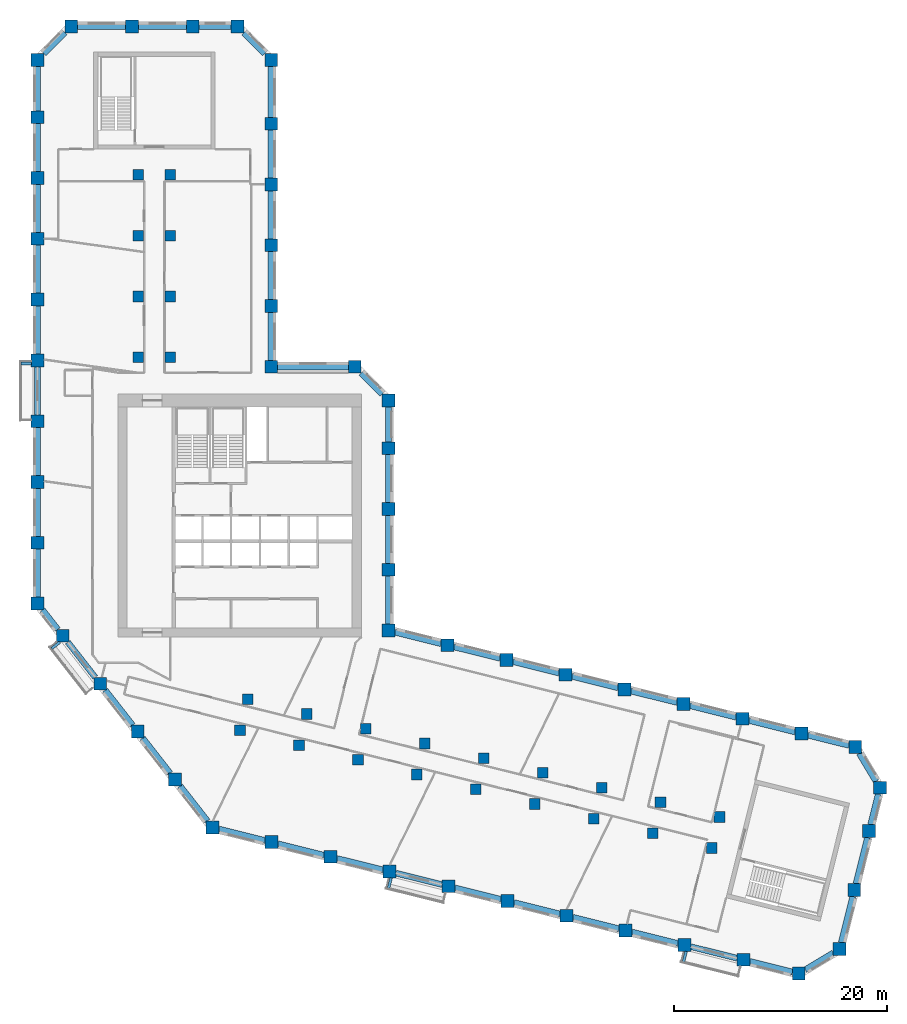
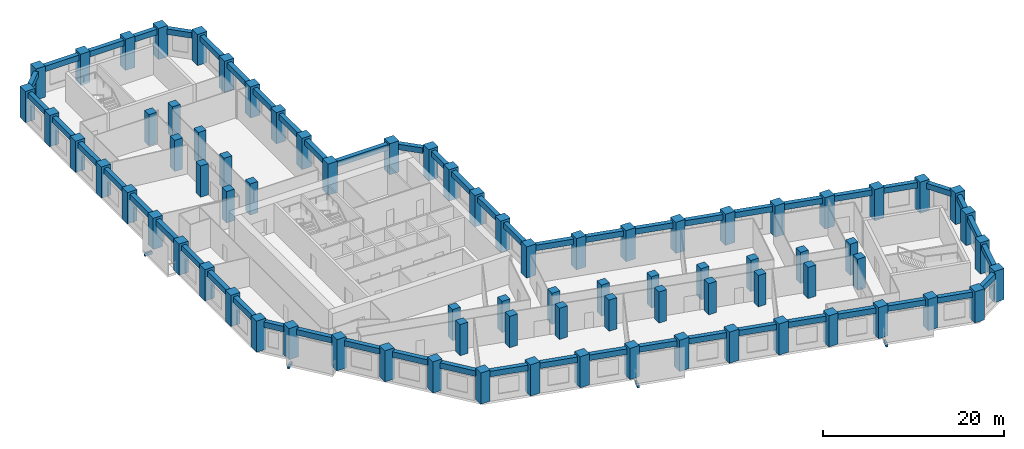
# One storey, part 1 of 10: 79 columns, 57 beams.
"""IFC4 building model written with IfcOpenShell, lengths in metres."""

from ifc_helpers import new_model, si_unit, direction, frame, origin, origin_2d, place, context, subcontext, project, spatial, rectangle, extrude, material, material_profile, profile_set, type_object, element, save


model = new_model("IFC4")

# Units and contexts
model_context = context("Model", 3, precision=1e-05, world=origin(), true_north=direction((0.0, 1.0)))
body_context = subcontext(model_context, "Body", "Model", "MODEL_VIEW")
ifc_project = project(units=[si_unit("LENGTHUNIT", "METRE"), si_unit("AREAUNIT", "SQUARE_METRE"), si_unit("VOLUMEUNIT", "CUBIC_METRE"), si_unit("PLANEANGLEUNIT", "RADIAN"), si_unit("MASSUNIT", "GRAM", prefix="KILO")], contexts=[model_context])

# Site, building, storey
site_placement = place(None, origin())
site = spatial("IfcSite", under=ifc_project, at=site_placement, CompositionType="ELEMENT")
building_placement = place(site_placement, origin())
building = spatial("IfcBuilding", under=site, at=building_placement, Name="Meshkara Civic Tower", CompositionType="ELEMENT")
storey_placement = place(building_placement, frame((0.0, 0.0, 186.60009765625)))
storey = spatial("IfcBuildingStorey", under=building, at=storey_placement, Name="L42", CompositionType="ELEMENT", Elevation=186.60009765625)

# Columns
ifc_material_1 = material(Name="Concrete C70", Category="concrete")
ifc_material_profile_1 = material_profile(ifc_material_1, rectangle(XDim=1.0, YDim=1.0, at=origin_2d()))
ifc_profile_set_1 = profile_set([ifc_material_profile_1], Name="Concrete C70")
column_type_1 = type_object("IfcColumnType", Name="Interior column RC 1000x1000 C70", PredefinedType="COLUMN", material=ifc_profile_set_1)
for number, where, z_axis, x_axis, name in (
    (1, (9.89990234375, 40.35009765625, 0.0), (0.0, 0.0, 1.0), (1.0, 0.0, 0.0), "Column SA1-04 L42"),
    (2, (9.89990234375, 46.050048828125, 0.0), (0.0, 0.0, 1.0), (1.0, 0.0, 0.0), "Column SA1-05 L42"),
    (3, (9.89990234375, 51.75, 0.0), (0.0, 0.0, 1.0), (1.0, 0.0, 0.0), "Column SA1-06 L42"),
    (4, (9.89990234375, 57.449951171875, 0.0), (0.0, 0.0, 1.0), (1.0, 0.0, 0.0), "Column SA1-07 L42"),
    (5, (12.89990234375, 40.35009765625, 0.0), (0.0, 0.0, 1.0), (1.0, 0.0, 0.0), "Column SA2-04 L42"),
    (6, (12.89990234375, 46.050048828125, 0.0), (0.0, 0.0, 1.0), (1.0, 0.0, 0.0), "Column SA2-05 L42"),
    (7, (12.89990234375, 51.75, 0.0), (0.0, 0.0, 1.0), (1.0, 0.0, 0.0), "Column SA2-06 L42"),
    (8, (12.89990234375, 57.449951171875, 0.0), (0.0, 0.0, 1.0), (1.0, 0.0, 0.0), "Column SA2-07 L42"),
    (9, (19.424072265625, 5.360107421875, 0.0), (0.0, 0.0, 1.0), (1.0, 0.0, 0.0), "Column SB1-00 L42"),
    (10, (24.9541015625, 3.98095703125, 0.0), (0.0, 0.0, 1.0), (1.0, 0.0, 0.0), "Column SB1-01 L42"),
    (11, (30.485107421875, 2.60205078125, 0.0), (0.0, 0.0, 1.0), (1.0, 0.0, 0.0), "Column SB1-02 L42"),
    (12, (36.01611328125, 1.222900390625, 0.0), (0.0, 0.0, 1.0), (1.0, 0.0, 0.0), "Column SB1-03 L42"),
    (13, (41.5458984375, -0.156005859375, 0.0), (0.0, 0.0, 1.0), (1.0, 0.0, 0.0), "Column SB1-04 L42"),
    (14, (47.076904296875, -1.534912109375, 0.0), (0.0, 0.0, 1.0), (1.0, 0.0, 0.0), "Column SB1-05 L42"),
    (15, (52.60791015625, -2.9140625, 0.0), (0.0, 0.0, 1.0), (1.0, 0.0, 0.0), "Column SB1-06 L42"),
    (16, (58.138916015625, -4.2919921875, 0.0), (0.0, 0.0, 1.0), (1.0, 0.0, 0.0), "Column SB1-07 L42"),
    (17, (63.6689453125, -5.6708984375, 0.0), (0.0, 0.0, 1.0), (1.0, 0.0, 0.0), "Column SB1-08 L42"),
    (18, (20.14892578125, 8.27099609375, 0.0), (0.0, 0.0, 1.0), (1.0, 0.0, 0.0), "Column SB2-00 L42"),
    (19, (25.679931640625, 6.89208984375, 0.0), (0.0, 0.0, 1.0), (1.0, 0.0, 0.0), "Column SB2-01 L42"),
    (20, (31.2109375, 5.512939453125, 0.0), (0.0, 0.0, 1.0), (1.0, 0.0, 0.0), "Column SB2-02 L42"),
    (21, (36.741943359375, 4.134033203125, 0.0), (0.0, 0.0, 1.0), (1.0, 0.0, 0.0), "Column SB2-03 L42"),
    (22, (42.27197265625, 2.7548828125, 0.0), (0.0, 0.0, 1.0), (1.0, 0.0, 0.0), "Column SB2-04 L42"),
    (23, (47.802978515625, 1.3759765625, 0.0), (0.0, 0.0, 1.0), (1.0, 0.0, 0.0), "Column SB2-05 L42"),
    (24, (53.333984375, -0.0029296875, 0.0), (0.0, 0.0, 1.0), (1.0, 0.0, 0.0), "Column SB2-06 L42"),
    (25, (58.864013671875, -1.382080078125, 0.0), (0.0, 0.0, 1.0), (1.0, 0.0, 0.0), "Column SB2-07 L42"),
    (26, (64.39501953125, -2.760986328125, 0.0), (0.0, 0.0, 1.0), (1.0, 0.0, 0.0), "Column SB2-08 L42"),
):
    element("IfcColumn", number, at=place(storey_placement, frame(where, z_axis=z_axis, x_axis=x_axis)), inside=storey, type_object=column_type_1, Name=name, PredefinedType="COLUMN", context=body_context, shape_type="SweptSolid", body=[
        extrude(rectangle(XDim=1.0, YDim=1.0, at=origin_2d()), origin(), (0.0, 0.0, 1.0), 4.199951171875),
    ])
ifc_material_2 = material(Name="Concrete C70", Category="concrete")
ifc_material_profile_2 = material_profile(ifc_material_2, rectangle(XDim=1.199951171875, YDim=1.199951171875, at=origin_2d()))
ifc_profile_set_2 = profile_set([ifc_material_profile_2], Name="Concrete C70")
column_type_2 = type_object("IfcColumnType", Name="Perimeter column RC 1200x1200 C70", PredefinedType="COLUMN", material=ifc_profile_set_2)
for number, where, z_axis, x_axis, name in (
    (27, (33.35009765625, 14.718994140625, 0.0), (0.0, 0.0, 1.0), (1.0, 0.0, 0.0), "Column HE00 L42"),
    (28, (33.35009765625, 20.4189453125, 0.0), (0.0, 0.0, 1.0), (1.0, 0.0, 0.0), "Column HE01 L42"),
    (29, (33.35009765625, 26.118896484375, 0.0), (0.0, 0.0, 1.0), (1.0, 0.0, 0.0), "Column HE02 L42"),
    (30, (33.35009765625, 31.819091796875, 0.0), (0.0, 0.0, 1.0), (1.0, 0.0, 0.0), "Column HE03 L42"),
    (31, (33.35009765625, 36.2939453125, 0.0), (0.0, 0.0, 1.0), (1.0, 0.0, 0.0), "Column HEE L42"),
    (32, (30.194091796875, 39.449951171875, 0.0), (0.0, 0.0, 1.0), (1.0, 0.0, 0.0), "Column HCeE L42"),
    (33, (22.35009765625, 39.449951171875, 0.0), (0.0, 0.0, 1.0), (1.0, 0.0, 0.0), "Column HN00 L42"),
    (34, (22.35009765625, 45.14990234375, 0.0), (0.0, 0.0, 1.0), (1.0, 0.0, 0.0), "Column AE01 L42"),
    (35, (22.35009765625, 50.85009765625, 0.0), (0.0, 0.0, 1.0), (1.0, 0.0, 0.0), "Column AE02 L42"),
    (36, (22.35009765625, 56.550048828125, 0.0), (0.0, 0.0, 1.0), (1.0, 0.0, 0.0), "Column AE03 L42"),
    (37, (22.35009765625, 62.25, 0.0), (0.0, 0.0, 1.0), (1.0, 0.0, 0.0), "Column AE04 L42"),
    (38, (22.35009765625, 68.214111328125, 0.0), (0.0, 0.0, 1.0), (1.0, 0.0, 0.0), "Column AEEP2 L42"),
    (39, (19.194091796875, 71.3701171875, 0.0), (0.0, 0.0, 1.0), (1.0, 0.0, 0.0), "Column ATiEP2 L42"),
    (40, (3.60595703125, 71.3701171875, 0.0), (0.0, 0.0, 1.0), (1.0, 0.0, 0.0), "Column AT00-P2 L42"),
    (41, (9.305908203125, 71.3701171875, 0.0), (0.0, 0.0, 1.0), (1.0, 0.0, 0.0), "Column AT01-P2 L42"),
    (42, (15.006103515625, 71.3701171875, 0.0), (0.0, 0.0, 1.0), (1.0, 0.0, 0.0), "Column AT02-P2 L42"),
    (43, (0.449951171875, 68.214111328125, 0.0), (0.0, 0.0, 1.0), (1.0, 0.0, 0.0), "Column ATo00-P2 L42"),
    (44, (0.449951171875, 17.2548828125, 0.0), (0.0, 0.0, 1.0), (1.0, 0.0, 0.0), "Column AW00 L42"),
    (45, (0.449951171875, 22.955078125, 0.0), (0.0, 0.0, 1.0), (1.0, 0.0, 0.0), "Column AW01 L42"),
    (46, (0.449951171875, 28.655029296875, 0.0), (0.0, 0.0, 1.0), (1.0, 0.0, 0.0), "Column AW02 L42"),
    (47, (0.449951171875, 34.35498046875, 0.0), (0.0, 0.0, 1.0), (1.0, 0.0, 0.0), "Column AW03 L42"),
    (48, (0.449951171875, 40.054931640625, 0.0), (0.0, 0.0, 1.0), (1.0, 0.0, 0.0), "Column AW04 L42"),
    (49, (0.449951171875, 45.7548828125, 0.0), (0.0, 0.0, 1.0), (1.0, 0.0, 0.0), "Column AW05 L42"),
    (50, (0.449951171875, 51.455078125, 0.0), (0.0, 0.0, 1.0), (1.0, 0.0, 0.0), "Column AW06 L42"),
    (51, (0.449951171875, 57.155029296875, 0.0), (0.0, 0.0, 1.0), (1.0, 0.0, 0.0), "Column AW07 L42"),
    (52, (0.449951171875, 62.85498046875, 0.0), (0.0, 0.0, 1.0), (1.0, 0.0, 0.0), "Column AW08 L42"),
    (53, (16.85107421875, -3.738037109375, 0.0), (0.0, 0.0, 1.0), (1.0, 0.0, 0.0), "Column BOW00 L42"),
    (54, (13.342041015625, 0.75390625, 0.0), (0.0, 0.0, 1.0), (1.0, 0.0, 0.0), "Column BOW01 L42"),
    (55, (9.8330078125, 5.2451171875, 0.0), (0.0, 0.0, 1.0), (1.0, 0.0, 0.0), "Column BOW02 L42"),
    (56, (6.322998046875, 9.737060546875, 0.0), (0.0, 0.0, 1.0), (1.0, 0.0, 0.0), "Column BOW03 L42"),
    (57, (2.81396484375, 14.22900390625, 0.0), (0.0, 0.0, 1.0), (1.0, 0.0, 0.0), "Column BOW04 L42"),
    (58, (22.382080078125, -5.116943359375, 0.0), (0.0, 0.0, 1.0), (1.0, 0.0, 0.0), "Column BS01 L42"),
    (59, (27.912109375, -6.49609375, 0.0), (0.0, 0.0, 1.0), (1.0, 0.0, 0.0), "Column BS02 L42"),
    (60, (33.443115234375, -7.875, 0.0), (0.0, 0.0, 1.0), (1.0, 0.0, 0.0), "Column BS03 L42"),
    (61, (38.97412109375, -9.2529296875, 0.0), (0.0, 0.0, 1.0), (1.0, 0.0, 0.0), "Column BS04-P1 L42"),
    (62, (44.5048828125, -10.632080078125, 0.0), (0.0, 0.0, 1.0), (1.0, 0.0, 0.0), "Column BS05 L42"),
    (63, (50.034912109375, -12.010986328125, 0.0), (0.0, 0.0, 1.0), (1.0, 0.0, 0.0), "Column BS06 L42"),
    (64, (55.56591796875, -13.389892578125, 0.0), (0.0, 0.0, 1.0), (1.0, 0.0, 0.0), "Column BS07 L42"),
    (65, (61.096923828125, -14.76904296875, 0.0), (0.0, 0.0, 1.0), (1.0, 0.0, 0.0), "Column BS08 L42"),
    (66, (66.626953125, -16.14794921875, 0.0), (0.0, 0.0, 1.0), (1.0, 0.0, 0.0), "Column BS09 L42"),
    (67, (71.826904296875, -17.444091796875, 0.0), (0.0, 0.0, 1.0), (1.0, 0.0, 0.0), "Column BSEP2 L42"),
    (68, (75.653076171875, -15.14501953125, 0.0), (0.0, 0.0, 1.0), (1.0, 0.0, 0.0), "Column BToEP2 L42"),
    (69, (77.031982421875, -9.614013671875, 0.0), (0.0, 0.0, 1.0), (1.0, 0.0, 0.0), "Column BT01-P2 L42"),
    (70, (78.410888671875, -4.083984375, 0.0), (0.0, 0.0, 1.0), (1.0, 0.0, 0.0), "Column BT02-P2 L42"),
    (71, (79.424072265625, -0.02099609375, 0.0), (0.0, 0.0, 1.0), (1.0, 0.0, 0.0), "Column BTEP2 L42"),
    (72, (77.125, 3.803955078125, 0.0), (0.0, 0.0, 1.0), (1.0, 0.0, 0.0), "Column BTi00-P2 L42"),
    (73, (38.881103515625, 13.340087890625, 0.0), (0.0, 0.0, 1.0), (1.0, 0.0, 0.0), "Column BN01 L42"),
    (74, (44.410888671875, 11.9609375, 0.0), (0.0, 0.0, 1.0), (1.0, 0.0, 0.0), "Column BN02 L42"),
    (75, (49.94189453125, 10.58203125, 0.0), (0.0, 0.0, 1.0), (1.0, 0.0, 0.0), "Column BN03 L42"),
    (76, (55.472900390625, 9.202880859375, 0.0), (0.0, 0.0, 1.0), (1.0, 0.0, 0.0), "Column BN04 L42"),
    (77, (61.0029296875, 7.823974609375, 0.0), (0.0, 0.0, 1.0), (1.0, 0.0, 0.0), "Column BN05 L42"),
    (78, (66.533935546875, 6.445068359375, 0.0), (0.0, 0.0, 1.0), (1.0, 0.0, 0.0), "Column BN06 L42"),
    (79, (72.06494140625, 5.06591796875, 0.0), (0.0, 0.0, 1.0), (1.0, 0.0, 0.0), "Column BN07 L42"),
):
    element("IfcColumn", number, at=place(storey_placement, frame(where, z_axis=z_axis, x_axis=x_axis)), inside=storey, type_object=column_type_2, Name=name, PredefinedType="COLUMN", context=body_context, shape_type="SweptSolid", body=[
        extrude(rectangle(XDim=1.199951171875, YDim=1.199951171875, at=origin_2d()), origin(), (0.0, 0.0, 1.0), 4.199951171875),
    ])

# Beams
ifc_material_3 = material(Name="Concrete C50", Category="concrete")
ifc_material_profile_3 = material_profile(ifc_material_3, rectangle(XDim=0.25, YDim=0.39990234375, at=origin_2d()))
ifc_profile_set_3 = profile_set([ifc_material_profile_3], Name="Concrete C50")
beam_type_1 = type_object("IfcBeamType", Name="Balcony bracket beam RC 250x400 C50", PredefinedType="BEAM", material=ifc_profile_set_3)
beam_1_placement = place(storey_placement, frame((-0.14501953125, 39.7548828125, -0.5), z_axis=(-1.0, 0.0, 0.0), x_axis=(0.0, -1.0, 0.0)))
element("IfcBeam", 80, at=beam_1_placement, inside=storey, type_object=beam_type_1, Name="Balcony bracket beam", PredefinedType="BEAM", context=body_context, shape_type="SweptSolid", body=[
    extrude(rectangle(XDim=0.25, YDim=0.39990234375, at=origin_2d()), origin(), (0.0, 0.0, 1.0), 0.955078125),
])
beam_2_placement = place(storey_placement, frame((2.537109375, 13.632080078125, -0.5), z_axis=(-0.787905405849, -0.615796290533, 0.0), x_axis=(0.615796290533, -0.787905405849, 0.0)))
element("IfcBeam", 81, at=beam_2_placement, inside=storey, type_object=beam_type_1, Name="Balcony bracket beam", PredefinedType="BEAM", context=body_context, shape_type="SweptSolid", body=[
    extrude(rectangle(XDim=0.25, YDim=0.39990234375, at=origin_2d()), origin(), (0.0, 0.0, 1.0), 0.964599609375),
])
beam_3_placement = place(storey_placement, frame((33.60400390625, -8.469970703125, -0.5), z_axis=(-0.242421996939, -0.9701709001, 0.0), x_axis=(0.9701709001, -0.242421996939, 0.0)))
element("IfcBeam", 82, at=beam_3_placement, inside=storey, type_object=beam_type_1, Name="Balcony bracket beam", PredefinedType="BEAM", context=body_context, shape_type="SweptSolid", body=[
    extrude(rectangle(XDim=0.25, YDim=0.39990234375, at=origin_2d()), origin(), (0.0, 0.0, 1.0), 1.01123046875),
])
beam_4_placement = place(storey_placement, frame((61.258056640625, -15.364013671875, -0.5), z_axis=(-0.24219504991, -0.970227580416, 0.0), x_axis=(0.970227580416, -0.24219504991, 0.0)))
element("IfcBeam", 83, at=beam_4_placement, inside=storey, type_object=beam_type_1, Name="Balcony bracket beam", PredefinedType="BEAM", context=body_context, shape_type="SweptSolid", body=[
    extrude(rectangle(XDim=0.25, YDim=0.39990234375, at=origin_2d()), origin(), (0.0, 0.0, 1.0), 1.011962890625),
])
ifc_material_4 = material(Name="Concrete C60", Category="concrete")
ifc_material_profile_4 = material_profile(ifc_material_4, rectangle(XDim=0.550048828125, YDim=0.75, at=origin_2d()))
ifc_profile_set_4 = profile_set([ifc_material_profile_4], Name="Concrete C60")
beam_type_2 = type_object("IfcBeamType", Name="Spandrel beam RC 550x750 C60", PredefinedType="BEAM", material=ifc_profile_set_4)
for number, where, z_axis, x_axis, name in (
    (84, (71.469970703125, 5.21435546875, 3.52490234375), (-0.970296390995, 0.241919229543, 0.0), (-0.241919229543, -0.970296390995, 0.0), "Spandrel beam BN06-BN07"),
    (85, (65.93896484375, 6.593505859375, 3.52490234375), (-0.970309199754, 0.241867850018, 0.0), (-0.241867850018, -0.970309199754, 0.0), "Spandrel beam BN05-BN06"),
):
    element("IfcBeam", number, at=place(storey_placement, frame(where, z_axis=z_axis, x_axis=x_axis)), inside=storey, type_object=beam_type_2, Name=name, PredefinedType="BEAM", context=body_context, shape_type="SweptSolid", body=[
        extrude(rectangle(XDim=0.550048828125, YDim=0.75, at=origin_2d()), origin(), (0.0, 0.0, 1.0), 4.4736328125),
    ])
beam_5_placement = place(storey_placement, frame((60.407958984375, 7.972412109375, 3.52490234375), z_axis=(-0.970283611566, 0.241970479865, 0.0), x_axis=(-0.241970479865, -0.970283611566, 0.0)))
element("IfcBeam", 86, at=beam_5_placement, inside=storey, type_object=beam_type_2, Name="Spandrel beam BN04-BN05", PredefinedType="BEAM", context=body_context, shape_type="SweptSolid", body=[
    extrude(rectangle(XDim=0.550048828125, YDim=0.75, at=origin_2d()), origin(), (0.0, 0.0, 1.0), 4.47265625),
])
for number, where, z_axis, x_axis, name in (
    (87, (54.8779296875, 9.351318359375, 3.52490234375), (-0.970296390995, 0.241919229543, 0.0), (-0.241919229543, -0.970296390995, 0.0), "Spandrel beam BN03-BN04"),
    (88, (49.346923828125, 10.73046875, 3.52490234375), (-0.970309199754, 0.241867850018, 0.0), (-0.241867850018, -0.970309199754, 0.0), "Spandrel beam BN02-BN03"),
):
    element("IfcBeam", number, at=place(storey_placement, frame(where, z_axis=z_axis, x_axis=x_axis)), inside=storey, type_object=beam_type_2, Name=name, PredefinedType="BEAM", context=body_context, shape_type="SweptSolid", body=[
        extrude(rectangle(XDim=0.550048828125, YDim=0.75, at=origin_2d()), origin(), (0.0, 0.0, 1.0), 4.4736328125),
    ])
beam_6_placement = place(storey_placement, frame((43.81591796875, 12.109375, 3.52490234375), z_axis=(-0.970283611566, 0.241970479865, 0.0), x_axis=(-0.241970479865, -0.970283611566, 0.0)))
element("IfcBeam", 89, at=beam_6_placement, inside=storey, type_object=beam_type_2, Name="Spandrel beam BN01-BN02", PredefinedType="BEAM", context=body_context, shape_type="SweptSolid", body=[
    extrude(rectangle(XDim=0.550048828125, YDim=0.75, at=origin_2d()), origin(), (0.0, 0.0, 1.0), 4.47265625),
])
beam_7_placement = place(storey_placement, frame((38.285888671875, 13.48828125, 3.52490234375), z_axis=(-0.970296390995, 0.241919229543, 0.0), x_axis=(-0.241919229543, -0.970296390995, 0.0)))
element("IfcBeam", 90, at=beam_7_placement, inside=storey, type_object=beam_type_2, Name="Spandrel beam BN01-HE00", PredefinedType="BEAM", context=body_context, shape_type="SweptSolid", body=[
    extrude(rectangle(XDim=0.550048828125, YDim=0.75, at=origin_2d()), origin(), (0.0, 0.0, 1.0), 4.4736328125),
])
for number, where, z_axis, x_axis, name in (
    (91, (33.35009765625, 15.31396484375, 3.52490234375), (0.0, 1.0, 0.0), (-1.0, 0.0, 0.0), "Spandrel beam HE00-HE01"),
    (92, (33.35009765625, 21.013916015625, 3.52490234375), (0.0, 1.0, 0.0), (-1.0, 0.0, 0.0), "Spandrel beam HE01-HE02"),
    (93, (33.35009765625, 26.714111328125, 3.52490234375), (0.0, 1.0, 0.0), (-1.0, 0.0, 0.0), "Spandrel beam HE02-HE03"),
):
    element("IfcBeam", number, at=place(storey_placement, frame(where, z_axis=z_axis, x_axis=x_axis)), inside=storey, type_object=beam_type_2, Name=name, PredefinedType="BEAM", context=body_context, shape_type="SweptSolid", body=[
        extrude(rectangle(XDim=0.550048828125, YDim=0.75, at=origin_2d()), origin(), (0.0, 0.0, 1.0), 4.510009765625),
    ])
beam_8_placement = place(storey_placement, frame((33.35009765625, 32.4140625, 3.52490234375), z_axis=(0.0, 1.0, 0.0), x_axis=(-1.0, 0.0, 0.0)))
element("IfcBeam", 94, at=beam_8_placement, inside=storey, type_object=beam_type_2, Name="Spandrel beam HE03-HEE", PredefinedType="BEAM", context=body_context, shape_type="SweptSolid", body=[
    extrude(rectangle(XDim=0.550048828125, YDim=0.75, at=origin_2d()), origin(), (0.0, 0.0, 1.0), 3.284912109375),
])
beam_9_placement = place(storey_placement, frame((32.75341796875, 36.890380859375, 3.52490234375), z_axis=(-0.707062808252, 0.707150751387, 0.0), x_axis=(-0.707150751387, -0.707062808252, 0.0)))
element("IfcBeam", 95, at=beam_9_placement, inside=storey, type_object=beam_type_2, Name="Spandrel beam HCeE-HEE", PredefinedType="BEAM", context=body_context, shape_type="SweptSolid", body=[
    extrude(rectangle(XDim=0.550048828125, YDim=0.75, at=origin_2d()), origin(), (0.0, 0.0, 1.0), 2.776123046875),
])
beam_10_placement = place(storey_placement, frame((29.59912109375, 39.449951171875, 3.52490234375), z_axis=(-1.0, 0.0, 0.0), x_axis=(0.0, -1.0, 0.0)))
element("IfcBeam", 96, at=beam_10_placement, inside=storey, type_object=beam_type_2, Name="Spandrel beam HCeE-HN00", PredefinedType="BEAM", context=body_context, shape_type="SweptSolid", body=[
    extrude(rectangle(XDim=0.550048828125, YDim=0.75, at=origin_2d()), origin(), (0.0, 0.0, 1.0), 6.654052734375),
])
beam_11_placement = place(storey_placement, frame((22.35009765625, 40.044921875, 3.52490234375), z_axis=(0.0, 1.0, 0.0), x_axis=(-1.0, 0.0, 0.0)))
element("IfcBeam", 97, at=beam_11_placement, inside=storey, type_object=beam_type_2, Name="Spandrel beam AE01-HN00", PredefinedType="BEAM", context=body_context, shape_type="SweptSolid", body=[
    extrude(rectangle(XDim=0.550048828125, YDim=0.75, at=origin_2d()), origin(), (0.0, 0.0, 1.0), 4.510009765625),
])
beam_12_placement = place(storey_placement, frame((22.35009765625, 45.7451171875, 3.52490234375), z_axis=(0.0, 1.0, 0.0), x_axis=(-1.0, 0.0, 0.0)))
element("IfcBeam", 98, at=beam_12_placement, inside=storey, type_object=beam_type_2, Name="Spandrel beam AE01-AE02", PredefinedType="BEAM", context=body_context, shape_type="SweptSolid", body=[
    extrude(rectangle(XDim=0.550048828125, YDim=0.75, at=origin_2d()), origin(), (0.0, 0.0, 1.0), 4.509765625),
])
for number, where, z_axis, x_axis, name in (
    (99, (22.35009765625, 51.445068359375, 3.52490234375), (0.0, 1.0, 0.0), (-1.0, 0.0, 0.0), "Spandrel beam AE02-AE03"),
    (100, (22.35009765625, 57.14501953125, 3.52490234375), (0.0, 1.0, 0.0), (-1.0, 0.0, 0.0), "Spandrel beam AE03-AE04"),
):
    element("IfcBeam", number, at=place(storey_placement, frame(where, z_axis=z_axis, x_axis=x_axis)), inside=storey, type_object=beam_type_2, Name=name, PredefinedType="BEAM", context=body_context, shape_type="SweptSolid", body=[
        extrude(rectangle(XDim=0.550048828125, YDim=0.75, at=origin_2d()), origin(), (0.0, 0.0, 1.0), 4.510009765625),
    ])
beam_13_placement = place(storey_placement, frame((22.35009765625, 62.844970703125, 3.52490234375), z_axis=(0.0, 1.0, 0.0), x_axis=(-1.0, 0.0, 0.0)))
element("IfcBeam", 101, at=beam_13_placement, inside=storey, type_object=beam_type_2, Name="Spandrel beam AE04-AEEP2", PredefinedType="BEAM", context=body_context, shape_type="SweptSolid", body=[
    extrude(rectangle(XDim=0.550048828125, YDim=0.75, at=origin_2d()), origin(), (0.0, 0.0, 1.0), 4.77392578125),
])
beam_14_placement = place(storey_placement, frame((21.75341796875, 68.810546875, 3.52490234375), z_axis=(-0.707106781187, 0.707106781187, 0.0), x_axis=(-0.707106781187, -0.707106781187, 0.0)))
element("IfcBeam", 102, at=beam_14_placement, inside=storey, type_object=beam_type_2, Name="Spandrel beam AEEP2-ATiEP2", PredefinedType="BEAM", context=body_context, shape_type="SweptSolid", body=[
    extrude(rectangle(XDim=0.550048828125, YDim=0.75, at=origin_2d()), origin(), (0.0, 0.0, 1.0), 2.77587890625),
])
beam_15_placement = place(storey_placement, frame((18.59912109375, 71.3701171875, 3.52490234375), z_axis=(-1.0, 0.0, 0.0), x_axis=(0.0, -1.0, 0.0)))
element("IfcBeam", 103, at=beam_15_placement, inside=storey, type_object=beam_type_2, Name="Spandrel beam AT02-P2-ATiEP2", PredefinedType="BEAM", context=body_context, shape_type="SweptSolid", body=[
    extrude(rectangle(XDim=0.550048828125, YDim=0.75, at=origin_2d()), origin(), (0.0, 0.0, 1.0), 2.998046875),
])
for number, where, z_axis, x_axis, name in (
    (104, (14.410888671875, 71.3701171875, 3.52490234375), (-1.0, 0.0, 0.0), (0.0, -1.0, 0.0), "Spandrel beam AT01-P2-AT02-P2"),
    (105, (8.7109375, 71.3701171875, 3.52490234375), (-1.0, 0.0, 0.0), (0.0, -1.0, 0.0), "Spandrel beam AT00-P2-AT01-P2"),
):
    element("IfcBeam", number, at=place(storey_placement, frame(where, z_axis=z_axis, x_axis=x_axis)), inside=storey, type_object=beam_type_2, Name=name, PredefinedType="BEAM", context=body_context, shape_type="SweptSolid", body=[
        extrude(rectangle(XDim=0.550048828125, YDim=0.75, at=origin_2d()), origin(), (0.0, 0.0, 1.0), 4.510009765625),
    ])
beam_16_placement = place(storey_placement, frame((3.009521484375, 70.7734375, 3.52490234375), z_axis=(-0.707150751387, -0.707062808252, 0.0), x_axis=(0.707062808252, -0.707150751387, 0.0)))
element("IfcBeam", 106, at=beam_16_placement, inside=storey, type_object=beam_type_2, Name="Spandrel beam AT00-P2-ATo00-P2", PredefinedType="BEAM", context=body_context, shape_type="SweptSolid", body=[
    extrude(rectangle(XDim=0.550048828125, YDim=0.75, at=origin_2d()), origin(), (0.0, 0.0, 1.0), 2.776123046875),
])
beam_17_placement = place(storey_placement, frame((0.449951171875, 67.618896484375, 3.52490234375), z_axis=(0.0, -1.0, 0.0), x_axis=(1.0, 0.0, 0.0)))
element("IfcBeam", 107, at=beam_17_placement, inside=storey, type_object=beam_type_2, Name="Spandrel beam ATo00-P2-AW08", PredefinedType="BEAM", context=body_context, shape_type="SweptSolid", body=[
    extrude(rectangle(XDim=0.550048828125, YDim=0.75, at=origin_2d()), origin(), (0.0, 0.0, 1.0), 4.1689453125),
])
for number, where, z_axis, x_axis, name in (
    (108, (0.449951171875, 62.260009765625, 3.52490234375), (0.0, -1.0, 0.0), (1.0, 0.0, 0.0), "Spandrel beam AW07-AW08"),
    (109, (0.449951171875, 56.56005859375, 3.52490234375), (0.0, -1.0, 0.0), (1.0, 0.0, 0.0), "Spandrel beam AW06-AW07"),
    (110, (0.449951171875, 50.860107421875, 3.52490234375), (0.0, -1.0, 0.0), (1.0, 0.0, 0.0), "Spandrel beam AW05-AW06"),
    (111, (0.449951171875, 45.159912109375, 3.52490234375), (0.0, -1.0, 0.0), (1.0, 0.0, 0.0), "Spandrel beam AW04-AW05"),
    (112, (0.449951171875, 39.4599609375, 3.52490234375), (0.0, -1.0, 0.0), (1.0, 0.0, 0.0), "Spandrel beam AW03-AW04"),
    (113, (0.449951171875, 33.760009765625, 3.52490234375), (0.0, -1.0, 0.0), (1.0, 0.0, 0.0), "Spandrel beam AW02-AW03"),
    (114, (0.449951171875, 28.06005859375, 3.52490234375), (0.0, -1.0, 0.0), (1.0, 0.0, 0.0), "Spandrel beam AW01-AW02"),
    (115, (0.449951171875, 22.360107421875, 3.52490234375), (0.0, -1.0, 0.0), (1.0, 0.0, 0.0), "Spandrel beam AW00-AW01"),
):
    element("IfcBeam", number, at=place(storey_placement, frame(where, z_axis=z_axis, x_axis=x_axis)), inside=storey, type_object=beam_type_2, Name=name, PredefinedType="BEAM", context=body_context, shape_type="SweptSolid", body=[
        extrude(rectangle(XDim=0.550048828125, YDim=0.75, at=origin_2d()), origin(), (0.0, 0.0, 1.0), 4.510009765625),
    ])
beam_18_placement = place(storey_placement, frame((0.915771484375, 16.658935546875, 3.52490234375), z_axis=(0.615646077935, -0.788022783124, 0.0), x_axis=(0.788022783124, 0.615646077935, 0.0)))
element("IfcBeam", 116, at=beam_18_placement, inside=storey, type_object=beam_type_2, Name="Spandrel beam AW00-BOW04", PredefinedType="BEAM", context=body_context, shape_type="SweptSolid", body=[
    extrude(rectangle(XDim=0.550048828125, YDim=0.75, at=origin_2d()), origin(), (0.0, 0.0, 1.0), 2.326904296875),
])
beam_19_placement = place(storey_placement, frame((3.279541015625, 13.6328125, 3.52490234375), z_axis=(0.615630464754, -0.788034980738, 0.0), x_axis=(0.788034980738, 0.615630464754, 0.0)))
element("IfcBeam", 117, at=beam_19_placement, inside=storey, type_object=beam_type_2, Name="Spandrel beam BOW03-BOW04", PredefinedType="BEAM", context=body_context, shape_type="SweptSolid", body=[
    extrude(rectangle(XDim=0.550048828125, YDim=0.75, at=origin_2d()), origin(), (0.0, 0.0, 1.0), 4.1875),
])
beam_20_placement = place(storey_placement, frame((6.788818359375, 9.140869140625, 3.52490234375), z_axis=(0.61570287025, -0.787978410596, 0.0), x_axis=(0.787978410596, 0.61570287025, 0.0)))
element("IfcBeam", 118, at=beam_20_placement, inside=storey, type_object=beam_type_2, Name="Spandrel beam BOW02-BOW03", PredefinedType="BEAM", context=body_context, shape_type="SweptSolid", body=[
    extrude(rectangle(XDim=0.550048828125, YDim=0.75, at=origin_2d()), origin(), (0.0, 0.0, 1.0), 4.187744140625),
])
beam_21_placement = place(storey_placement, frame((10.298583984375, 4.64892578125, 3.52490234375), z_axis=(0.615707413829, -0.787974860358, 0.0), x_axis=(0.787974860358, 0.615707413829, 0.0)))
element("IfcBeam", 119, at=beam_21_placement, inside=storey, type_object=beam_type_2, Name="Spandrel beam BOW01-BOW02", PredefinedType="BEAM", context=body_context, shape_type="SweptSolid", body=[
    extrude(rectangle(XDim=0.550048828125, YDim=0.75, at=origin_2d()), origin(), (0.0, 0.0, 1.0), 4.1865234375),
])
beam_22_placement = place(storey_placement, frame((13.8076171875, 0.157958984375, 3.52490234375), z_axis=(0.615630464754, -0.788034980738, 0.0), x_axis=(0.788034980738, 0.615630464754, 0.0)))
element("IfcBeam", 120, at=beam_22_placement, inside=storey, type_object=beam_type_2, Name="Spandrel beam BOW00-BOW01", PredefinedType="BEAM", context=body_context, shape_type="SweptSolid", body=[
    extrude(rectangle(XDim=0.550048828125, YDim=0.75, at=origin_2d()), origin(), (0.0, 0.0, 1.0), 4.1875),
])
beam_23_placement = place(storey_placement, frame((17.446044921875, -3.886474609375, 3.52490234375), z_axis=(0.970309199754, -0.241867850018, 0.0), x_axis=(0.241867850018, 0.970309199754, 0.0)))
element("IfcBeam", 121, at=beam_23_placement, inside=storey, type_object=beam_type_2, Name="Spandrel beam BOW00-BS01", PredefinedType="BEAM", context=body_context, shape_type="SweptSolid", body=[
    extrude(rectangle(XDim=0.550048828125, YDim=0.75, at=origin_2d()), origin(), (0.0, 0.0, 1.0), 4.4736328125),
])
beam_24_placement = place(storey_placement, frame((22.97705078125, -5.265380859375, 3.52490234375), z_axis=(0.970283611566, -0.241970479865, 0.0), x_axis=(0.241970479865, 0.970283611566, 0.0)))
element("IfcBeam", 122, at=beam_24_placement, inside=storey, type_object=beam_type_2, Name="Spandrel beam BS01-BS02", PredefinedType="BEAM", context=body_context, shape_type="SweptSolid", body=[
    extrude(rectangle(XDim=0.550048828125, YDim=0.75, at=origin_2d()), origin(), (0.0, 0.0, 1.0), 4.47265625),
])
for number, where, z_axis, x_axis, name in (
    (123, (28.507080078125, -6.644287109375, 3.52490234375), (0.970296390995, -0.241919229543, 0.0), (0.241919229543, 0.970296390995, 0.0), "Spandrel beam BS02-BS03"),
    (124, (34.0380859375, -8.023193359375, 3.52490234375), (0.970334810126, -0.241765084863, 0.0), (0.241765084863, 0.970334810126, 0.0), "Spandrel beam BS03-BS04-P1"),
    (125, (39.569091796875, -9.4013671875, 3.52490234375), (0.970296390995, -0.241919229543, 0.0), (0.241919229543, 0.970296390995, 0.0), "Spandrel beam BS04-P1-BS05"),
):
    element("IfcBeam", number, at=place(storey_placement, frame(where, z_axis=z_axis, x_axis=x_axis)), inside=storey, type_object=beam_type_2, Name=name, PredefinedType="BEAM", context=body_context, shape_type="SweptSolid", body=[
        extrude(rectangle(XDim=0.550048828125, YDim=0.75, at=origin_2d()), origin(), (0.0, 0.0, 1.0), 4.4736328125),
    ])
beam_25_placement = place(storey_placement, frame((45.10009765625, -10.780517578125, 3.52490234375), z_axis=(0.970296425585, -0.241919090807, 0.0), x_axis=(0.241919090807, 0.970296425585, 0.0)))
element("IfcBeam", 126, at=beam_25_placement, inside=storey, type_object=beam_type_2, Name="Spandrel beam BS05-BS06", PredefinedType="BEAM", context=body_context, shape_type="SweptSolid", body=[
    extrude(rectangle(XDim=0.550048828125, YDim=0.75, at=origin_2d()), origin(), (0.0, 0.0, 1.0), 4.47265625),
])
for number, where, z_axis, x_axis, name in (
    (127, (50.630126953125, -12.159423828125, 3.52490234375), (0.970296390995, -0.241919229543, 0.0), (0.241919229543, 0.970296390995, 0.0), "Spandrel beam BS06-BS07"),
    (128, (56.1611328125, -13.538330078125, 3.52490234375), (0.970296390995, -0.241919229543, 0.0), (0.241919229543, 0.970296390995, 0.0), "Spandrel beam BS07-BS08"),
):
    element("IfcBeam", number, at=place(storey_placement, frame(where, z_axis=z_axis, x_axis=x_axis)), inside=storey, type_object=beam_type_2, Name=name, PredefinedType="BEAM", context=body_context, shape_type="SweptSolid", body=[
        extrude(rectangle(XDim=0.550048828125, YDim=0.75, at=origin_2d()), origin(), (0.0, 0.0, 1.0), 4.4736328125),
    ])
beam_26_placement = place(storey_placement, frame((61.692138671875, -14.91748046875, 3.52490234375), z_axis=(0.970296425585, -0.241919090807, 0.0), x_axis=(0.241919090807, 0.970296425585, 0.0)))
element("IfcBeam", 129, at=beam_26_placement, inside=storey, type_object=beam_type_2, Name="Spandrel beam BS08-BS09", PredefinedType="BEAM", context=body_context, shape_type="SweptSolid", body=[
    extrude(rectangle(XDim=0.550048828125, YDim=0.75, at=origin_2d()), origin(), (0.0, 0.0, 1.0), 4.47265625),
])
beam_27_placement = place(storey_placement, frame((67.22216796875, -16.29638671875, 3.52490234375), z_axis=(0.970322944839, -0.241812701731, 0.0), x_axis=(0.241812701731, 0.970322944839, 0.0)))
element("IfcBeam", 130, at=beam_27_placement, inside=storey, type_object=beam_type_2, Name="Spandrel beam BS09-BSEP2", PredefinedType="BEAM", context=body_context, shape_type="SweptSolid", body=[
    extrude(rectangle(XDim=0.550048828125, YDim=0.75, at=origin_2d()), origin(), (0.0, 0.0, 1.0), 4.13232421875),
])
beam_28_placement = place(storey_placement, frame((72.422607421875, -17.0859375, 3.52490234375), z_axis=(0.85718440509, 0.515009607358, 0.0), x_axis=(-0.515009607358, 0.85718440509, 0.0)))
element("IfcBeam", 131, at=beam_28_placement, inside=storey, type_object=beam_type_2, Name="Spandrel beam BSEP2-BToEP2", PredefinedType="BEAM", context=body_context, shape_type="SweptSolid", body=[
    extrude(rectangle(XDim=0.550048828125, YDim=0.75, at=origin_2d()), origin(), (0.0, 0.0, 1.0), 3.07373046875),
])
beam_29_placement = place(storey_placement, frame((75.801513671875, -14.5498046875, 3.52490234375), z_axis=(0.241867850018, 0.970309199754, 0.0), x_axis=(-0.970309199754, 0.241867850018, 0.0)))
element("IfcBeam", 132, at=beam_29_placement, inside=storey, type_object=beam_type_2, Name="Spandrel beam BT01-P2-BToEP2", PredefinedType="BEAM", context=body_context, shape_type="SweptSolid", body=[
    extrude(rectangle(XDim=0.550048828125, YDim=0.75, at=origin_2d()), origin(), (0.0, 0.0, 1.0), 4.4736328125),
])
beam_30_placement = place(storey_placement, frame((77.180419921875, -9.018798828125, 3.52490234375), z_axis=(0.241983295733, 0.97028041544, 0.0), x_axis=(-0.97028041544, 0.241983295733, 0.0)))
element("IfcBeam", 133, at=beam_30_placement, inside=storey, type_object=beam_type_2, Name="Spandrel beam BT01-P2-BT02-P2", PredefinedType="BEAM", context=body_context, shape_type="SweptSolid", body=[
    extrude(rectangle(XDim=0.550048828125, YDim=0.75, at=origin_2d()), origin(), (0.0, 0.0, 1.0), 4.472412109375),
])
beam_31_placement = place(storey_placement, frame((78.559326171875, -3.489013671875, 3.52490234375), z_axis=(0.241934114249, 0.970292679743, 0.0), x_axis=(-0.970292679743, 0.241934114249, 0.0)))
element("IfcBeam", 134, at=beam_31_placement, inside=storey, type_object=beam_type_2, Name="Spandrel beam BT02-P2-BTEP2", PredefinedType="BEAM", context=body_context, shape_type="SweptSolid", body=[
    extrude(rectangle(XDim=0.550048828125, YDim=0.75, at=origin_2d()), origin(), (0.0, 0.0, 1.0), 2.960693359375),
])
beam_32_placement = place(storey_placement, frame((79.06591796875, 0.57470703125, 3.52490234375), z_axis=(-0.515126606613, 0.857114099265, 0.0), x_axis=(-0.857114099265, -0.515126606613, 0.0)))
element("IfcBeam", 135, at=beam_32_placement, inside=storey, type_object=beam_type_2, Name="Spandrel beam BTEP2-BTi00-P2", PredefinedType="BEAM", context=body_context, shape_type="SweptSolid", body=[
    extrude(rectangle(XDim=0.550048828125, YDim=0.75, at=origin_2d()), origin(), (0.0, 0.0, 1.0), 3.072509765625),
])
beam_33_placement = place(storey_placement, frame((76.52978515625, 3.952392578125, 3.52490234375), z_axis=(-0.970279182293, 0.241988240227, 0.0), x_axis=(-0.241988240227, -0.970279182293, 0.0)))
element("IfcBeam", 136, at=beam_33_placement, inside=storey, type_object=beam_type_2, Name="Spandrel beam BN07-BTi00-P2", PredefinedType="BEAM", context=body_context, shape_type="SweptSolid", body=[
    extrude(rectangle(XDim=0.550048828125, YDim=0.75, at=origin_2d()), origin(), (0.0, 0.0, 1.0), 3.98828125),
])

save(model, "model.ifc")
